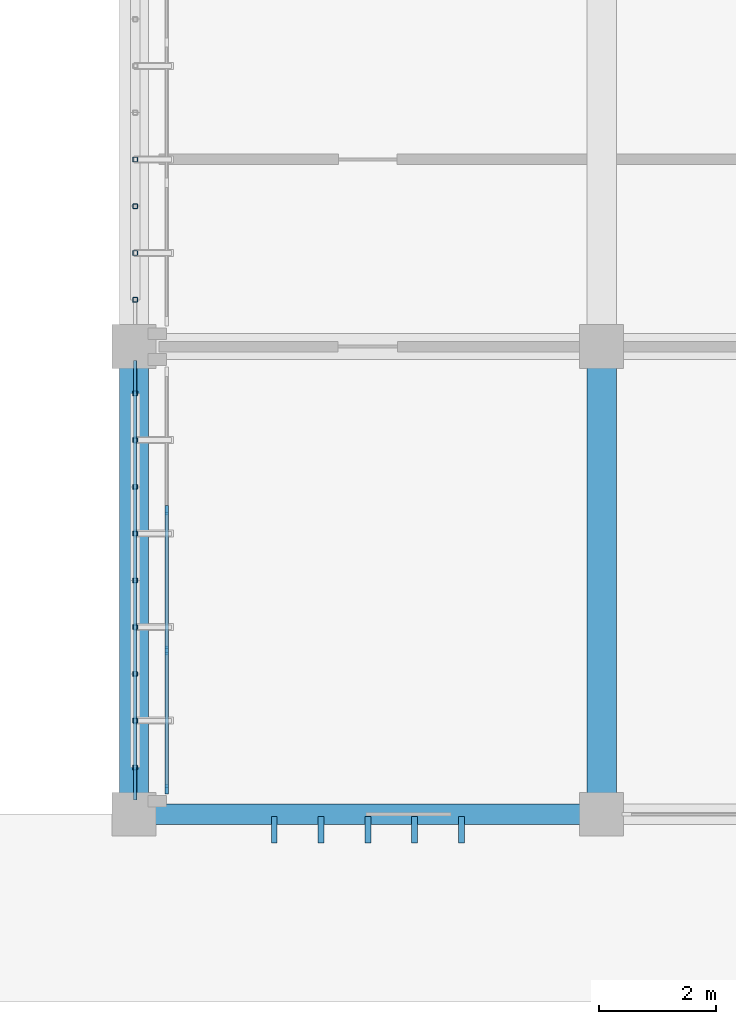
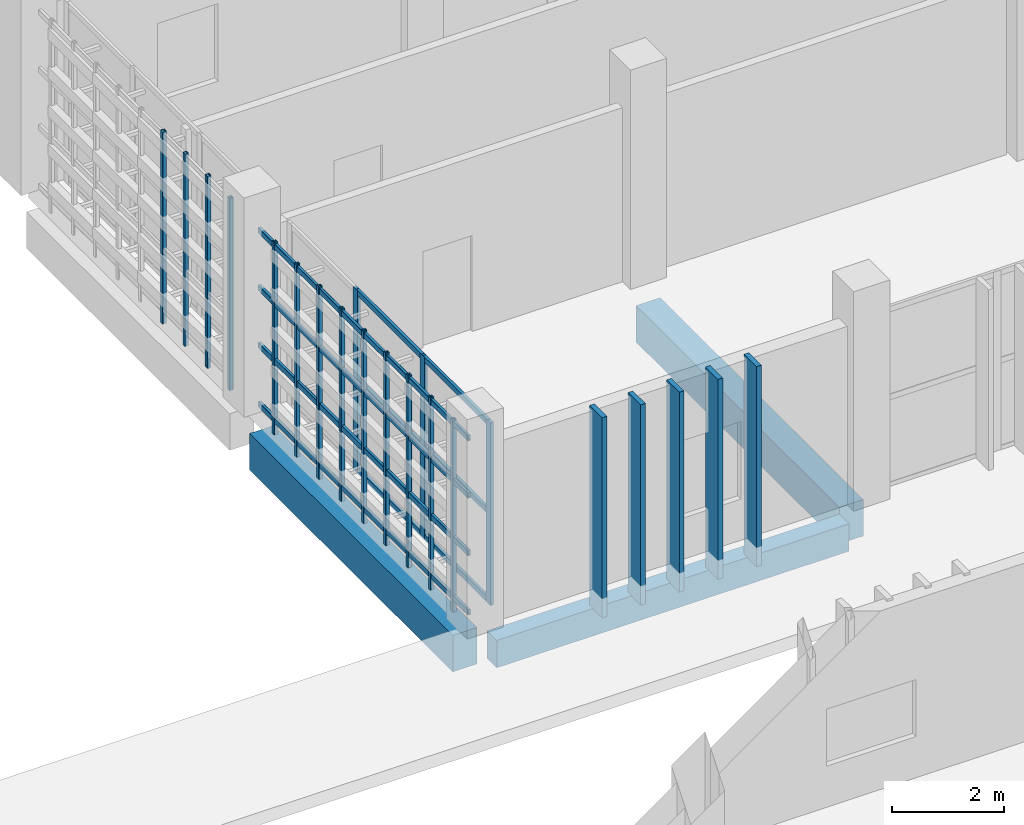
# One storey, part 46 of 117: 31 members, 3 beams, 1 element without a shape of its own.
"""IFC4 building model written with IfcOpenShell, lengths in metres."""

from ifc_helpers import new_model, si_unit, direction, frame, origin, origin_2d, place, context, subcontext, project, spatial, rectangle, hollow_rectangle, extrude, material, layer, layer_set, material_profile, profile_set, type_object, element, aggregate, save


model = new_model("IFC4")

# Units and contexts
model_context = context("Model", 3, precision=1e-05, world=origin(), true_north=direction((0.0, 1.0)))
body_context = subcontext(model_context, "Body", "Model", "MODEL_VIEW")
ifc_project = project(units=[si_unit("LENGTHUNIT", "METRE"), si_unit("AREAUNIT", "SQUARE_METRE"), si_unit("VOLUMEUNIT", "CUBIC_METRE"), si_unit("PLANEANGLEUNIT", "RADIAN"), si_unit("MASSUNIT", "GRAM", prefix="KILO")], contexts=[model_context])

# Site, building, storey
site_placement = place(None, origin())
site = spatial("IfcSite", under=ifc_project, at=site_placement, CompositionType="ELEMENT")
building_placement = place(site_placement, origin())
building = spatial("IfcBuilding", under=site, at=building_placement, Name="Jelvoka-Kovrelna Polytechnic", CompositionType="ELEMENT")
storey_placement = place(building_placement, origin())
storey = spatial("IfcBuildingStorey", under=building, at=storey_placement, Name="L01", CompositionType="ELEMENT", Elevation=0.0)

# Beams
ifc_material_1 = material(Name="Concrete C40/50", Category="concrete")
ifc_material_profile_1 = material_profile(ifc_material_1, rectangle(XDim=0.5, YDim=0.800048828125, at=origin_2d()), Name="RC 500x800")
ifc_profile_set_1 = profile_set([ifc_material_profile_1], Name="Concrete C40/50")
beam_type_1 = type_object("IfcBeamType", Name="Beam_RC_500x800", PredefinedType="BEAM", material=ifc_profile_set_1)
for number, where, z_axis, x_axis, name in (
    (1, (128.0, 32.35498046875, -0.804931640625), (0.0, 1.0, 0.0), (-1.0, 0.0, 0.0), "L01 beam 0423"),
    (2, (136.0, 32.35498046875, -0.804931640625), (0.0, 1.0, 0.0), (-1.0, 0.0, 0.0), "L01 beam 0425"),
):
    element("IfcBeam", number, at=place(storey_placement, frame(where, z_axis=z_axis, x_axis=x_axis)), inside=storey, type_object=beam_type_1, Name=name, PredefinedType="BEAM", context=body_context, shape_type="SweptSolid", body=[
        extrude(rectangle(XDim=0.5, YDim=0.800048828125, at=origin_2d()), origin(), (0.0, 0.0, 1.0), 7.2900390625),
    ])

# Members
ifc_material_2 = material(Name="Precast concrete C40/50", Category="concrete")
ifc_material_profile_2 = material_profile(ifc_material_2, rectangle(XDim=0.10009765625, YDim=0.449951171875, at=origin_2d()), Name="PC 100x450")
ifc_profile_set_2 = profile_set([ifc_material_profile_2], Name="Precast concrete C40/50")
member_type_1 = type_object("IfcMemberType", Name="Louvre_Fin_100x450", PredefinedType="USERDEFINED", material=ifc_profile_set_2)
for number, where, z_axis, x_axis, name in (
    (3, (130.39990234375, 31.735107421875, -0.419921875), (0.0, 0.0, 1.0), (1.0, 0.0, 0.0), "L01 B2E south vertical solar louvre fin 0866"),
    (4, (131.199951171875, 31.735107421875, -0.419921875), (0.0, 0.0, 1.0), (1.0, 0.0, 0.0), "L01 B2E south vertical solar louvre fin 0867"),
    (5, (132.0, 31.735107421875, -0.419921875), (0.0, 0.0, 1.0), (1.0, 0.0, 0.0), "L01 B2E south vertical solar louvre fin 0868"),
    (6, (132.800048828125, 31.735107421875, -0.419921875), (0.0, 0.0, 1.0), (1.0, 0.0, 0.0), "L01 B2E south vertical solar louvre fin 0869"),
    (7, (133.60009765625, 31.735107421875, -0.419921875), (0.0, 0.0, 1.0), (1.0, 0.0, 0.0), "L01 B2E south vertical solar louvre fin 0870"),
):
    element("IfcMember", number, at=place(storey_placement, frame(where, z_axis=z_axis, x_axis=x_axis)), inside=storey, type_object=member_type_1, Name=name, ObjectType="SUNSHADE", PredefinedType="USERDEFINED", context=body_context, shape_type="SweptSolid", body=[
        extrude(rectangle(XDim=0.10009765625, YDim=0.449951171875, at=origin_2d()), origin(), (0.0, 0.0, 1.0), 4.3798828125),
    ])
ifc_material_3 = material(Name="Structural steel S355J2H", Category="steel")
ifc_material_profile_3 = material_profile(ifc_material_3, hollow_rectangle(XDim=0.06005859375, YDim=0.1201171875, WallThickness=0.0048828125, InnerFilletRadius=0.0048828125, OuterFilletRadius=0.007568359375, at=origin_2d()), Name="120x60x5.0 RHS")
ifc_profile_set_3 = profile_set([ifc_material_profile_3], Name="Structural steel S355J2H")
member_type_2 = type_object("IfcMemberType", Name="Member_Strut_RHS120", PredefinedType="STRUT", material=ifc_profile_set_3)
for number, where, z_axis, x_axis, name in (
    (8, (128.02001953125, 32.239990234375, 0.080078125), (0.0, 1.0, 0.0), (-1.0, 0.0, 0.0), "L01 terracotta screen horizontal strut 0274"),
    (9, (128.02001953125, 32.239990234375, 1.37548828125), (0.0, 1.0, 0.0), (-1.0, 0.0, 0.0), "L01 terracotta screen horizontal strut 0275"),
    (10, (128.02001953125, 32.239990234375, 2.6328125), (0.0, 1.0, 0.0), (-1.0, 0.0, 0.0), "L01 terracotta screen horizontal strut 0276"),
    (11, (128.02001953125, 32.239990234375, 3.889892578125), (0.0, 1.0, 0.0), (-1.0, 0.0, 0.0), "L01 terracotta screen horizontal strut 0277"),
):
    element("IfcMember", number, at=place(storey_placement, frame(where, z_axis=z_axis, x_axis=x_axis)), inside=storey, type_object=member_type_2, Name=name, PredefinedType="STRUT", context=body_context, shape_type="SweptSolid", body=[
        extrude(hollow_rectangle(XDim=0.06005859375, YDim=0.1201171875, WallThickness=0.0048828125, InnerFilletRadius=0.0048828125, OuterFilletRadius=0.007568359375, at=origin_2d()), origin(), (0.0, 0.0, 1.0), 7.52001953125),
    ])
ifc_material_4 = material(Name="Structural steel S355J2H", Category="steel")
ifc_material_profile_4 = material_profile(ifc_material_4, hollow_rectangle(XDim=0.080078125, YDim=0.080078125, WallThickness=0.0048828125, InnerFilletRadius=0.0048828125, OuterFilletRadius=0.007568359375, at=origin_2d()), Name="80x80x5.0 SHS")
ifc_profile_set_4 = profile_set([ifc_material_profile_4], Name="Structural steel S355J2H")
member_type_3 = type_object("IfcMemberType", Name="Member_Strut_SHS80", PredefinedType="STRUT", material=ifc_profile_set_4)
for number, where, z_axis, x_axis, name in (
    (12, (128.02001953125, 32.800048828125, -0.22998046875), (0.0, 0.0, 1.0), (1.0, 0.0, 0.0), "L01 terracotta lattice vertical rib 0278"),
    (13, (128.02001953125, 33.60009765625, -0.22998046875), (0.0, 0.0, 1.0), (1.0, 0.0, 0.0), "L01 terracotta lattice vertical rib 0279"),
    (14, (128.02001953125, 34.39990234375, -0.22998046875), (0.0, 0.0, 1.0), (1.0, 0.0, 0.0), "L01 terracotta lattice vertical rib 0280"),
    (15, (128.02001953125, 35.199951171875, -0.22998046875), (0.0, 0.0, 1.0), (1.0, 0.0, 0.0), "L01 terracotta lattice vertical rib 0281"),
    (16, (128.02001953125, 36.0, -0.22998046875), (0.0, 0.0, 1.0), (1.0, 0.0, 0.0), "L01 terracotta lattice vertical rib 0282"),
    (17, (128.02001953125, 36.800048828125, -0.22998046875), (0.0, 0.0, 1.0), (1.0, 0.0, 0.0), "L01 terracotta lattice vertical rib 0283"),
    (18, (128.02001953125, 37.60009765625, -0.22998046875), (0.0, 0.0, 1.0), (1.0, 0.0, 0.0), "L01 terracotta lattice vertical rib 0284"),
    (19, (128.02001953125, 38.39990234375, -0.22998046875), (0.0, 0.0, 1.0), (1.0, 0.0, 0.0), "L01 terracotta lattice vertical rib 0285"),
    (20, (128.02001953125, 39.199951171875, -0.22998046875), (0.0, 0.0, 1.0), (1.0, 0.0, 0.0), "L01 terracotta lattice vertical rib 0286"),
    (21, (128.02001953125, 40.800048828125, -0.22998046875), (0.0, 0.0, 1.0), (1.0, 0.0, 0.0), "L01 terracotta lattice vertical rib 0291"),
    (22, (128.02001953125, 41.60009765625, -0.22998046875), (0.0, 0.0, 1.0), (1.0, 0.0, 0.0), "L01 terracotta lattice vertical rib 0292"),
    (23, (128.02001953125, 42.39990234375, -0.22998046875), (0.0, 0.0, 1.0), (1.0, 0.0, 0.0), "L01 terracotta lattice vertical rib 0293"),
    (24, (128.02001953125, 43.199951171875, -0.22998046875), (0.0, 0.0, 1.0), (1.0, 0.0, 0.0), "L01 terracotta lattice vertical rib 0294"),
):
    element("IfcMember", number, at=place(storey_placement, frame(where, z_axis=z_axis, x_axis=x_axis)), inside=storey, type_object=member_type_3, Name=name, PredefinedType="STRUT", context=body_context, shape_type="SweptSolid", body=[
        extrude(hollow_rectangle(XDim=0.080078125, YDim=0.080078125, WallThickness=0.0048828125, InnerFilletRadius=0.0048828125, OuterFilletRadius=0.007568359375, at=origin_2d()), origin(), (0.0, 0.0, 1.0), 4.2099609375),
    ])

# Curtain wall, members
ifc_material_5 = material(Name="Anodised aluminium 6063-T6", Category="aluminium")
ifc_layer = layer(ifc_material_5, 0.159912109375)
ifc_layer_set = layer_set([ifc_layer], Name="Anodised aluminium 6063-T6")
curtain_wall_type = type_object("IfcCurtainWallType", Name="CW_Recessed_A", PredefinedType="NOTDEFINED", material=ifc_layer_set)
curtain_wall_placement = place(storey_placement, origin())
curtain_wall = element("IfcCurtainWall", 25, at=curtain_wall_placement, inside=storey, type_object=curtain_wall_type, Name="L01 glazed curtain wall 042", PredefinedType="NOTDEFINED")
ifc_material_6 = material(Name="Anodised aluminium 6063-T6", Category="aluminium")
ifc_material_profile_5 = material_profile(ifc_material_6, rectangle(XDim=0.06005859375, YDim=0.159912109375, at=origin_2d()), Name="ALU 60x160")
ifc_profile_set_5 = profile_set([ifc_material_profile_5], Name="Anodised aluminium 6063-T6")
member_type_4 = type_object("IfcMemberType", Name="Mullion_M-01", PredefinedType="MULLION", material=ifc_profile_set_5)
member_1_placement = place(storey_placement, frame((128.56005859375, 32.429931640625, -0.02490234375), z_axis=(0.0, 0.0, 1.0), x_axis=(-1.0, 0.0, 0.0)))
member_1 = element("IfcMember", 26, at=member_1_placement, type_object=member_type_4, Name="CW-01 mullion 1", PredefinedType="MULLION", context=body_context, shape_type="SweptSolid", body=[
    extrude(rectangle(XDim=0.06005859375, YDim=0.159912109375, at=origin_2d()), origin(), (0.0, 0.0, 1.0), 4.0),
])
member_2_placement = place(storey_placement, frame((128.56005859375, 34.800048828125, -0.02490234375), z_axis=(0.0, 0.0, 1.0), x_axis=(-1.0, 0.0, 0.0)))
member_2 = element("IfcMember", 27, at=member_2_placement, type_object=member_type_4, Name="CW-01 mullion 2", PredefinedType="MULLION", context=body_context, shape_type="SweptSolid", body=[
    extrude(rectangle(XDim=0.06005859375, YDim=0.159912109375, at=origin_2d()), origin(), (0.0, 0.0, 1.0), 4.0),
])
member_3_placement = place(storey_placement, frame((128.56005859375, 37.199951171875, -0.02490234375), z_axis=(0.0, 0.0, 1.0), x_axis=(-1.0, 0.0, 0.0)))
member_3 = element("IfcMember", 28, at=member_3_placement, type_object=member_type_4, Name="CW-01 mullion 3", PredefinedType="MULLION", context=body_context, shape_type="SweptSolid", body=[
    extrude(rectangle(XDim=0.06005859375, YDim=0.159912109375, at=origin_2d()), origin(), (0.0, 0.0, 1.0), 4.0),
])

# Beam
ifc_material_7 = material(Name="Concrete C40/50", Category="concrete")
ifc_material_profile_6 = material_profile(ifc_material_7, rectangle(XDim=0.35009765625, YDim=0.60009765625, at=origin_2d()), Name="RC 350x600")
ifc_profile_set_6 = profile_set([ifc_material_profile_6], Name="Concrete C40/50")
beam_type_2 = type_object("IfcBeamType", Name="Spandrel_RC_350x600", PredefinedType="SPANDREL", material=ifc_profile_set_6)
beam_placement = place(storey_placement, frame((128.35498046875, 32.0, -0.705078125), z_axis=(1.0, 0.0, 0.0), x_axis=(0.0, 1.0, 0.0)))
element("IfcBeam", 29, at=beam_placement, inside=storey, type_object=beam_type_2, Name="L01 beam 0402", PredefinedType="SPANDREL", context=body_context, shape_type="SweptSolid", body=[
    extrude(rectangle(XDim=0.35009765625, YDim=0.60009765625, at=origin_2d()), origin(), (0.0, 0.0, 1.0), 7.2900390625),
])

# Member
ifc_material_8 = material(Name="Anodised aluminium 6063-T6", Category="aluminium")
ifc_material_profile_7 = material_profile(ifc_material_8, rectangle(XDim=0.06005859375, YDim=0.1201171875, at=origin_2d()), Name="ALU 60x120")
ifc_profile_set_7 = profile_set([ifc_material_profile_7], Name="Anodised aluminium 6063-T6")
member_type_5 = type_object("IfcMemberType", Name="Transom_T-01", PredefinedType="USERDEFINED", material=ifc_profile_set_7)
member_4_placement = place(storey_placement, frame((128.56005859375, 32.4599609375, 0.030029296875), z_axis=(0.0, 1.0, 0.0), x_axis=(-1.0, 0.0, 0.0)))
member_4 = element("IfcMember", 30, at=member_4_placement, type_object=member_type_5, Name="CW-01 transom 1.1", ObjectType="TRANSOM", PredefinedType="USERDEFINED", context=body_context, shape_type="SweptSolid", body=[
    extrude(rectangle(XDim=0.06005859375, YDim=0.1201171875, at=origin_2d()), origin(), (0.0, 0.0, 1.0), 2.31005859375),
])

member_5_placement = place(storey_placement, frame((128.56005859375, 32.4599609375, 1.97509765625), z_axis=(0.0, 1.0, 0.0), x_axis=(-1.0, 0.0, 0.0)))
member_5 = element("IfcMember", 31, at=member_5_placement, type_object=member_type_5, Name="CW-01 transom 1.2", ObjectType="TRANSOM", PredefinedType="USERDEFINED", context=body_context, shape_type="SweptSolid", body=[
    extrude(rectangle(XDim=0.06005859375, YDim=0.1201171875, at=origin_2d()), origin(), (0.0, 0.0, 1.0), 2.31005859375),
])

member_6_placement = place(storey_placement, frame((128.56005859375, 32.4599609375, 3.919921875), z_axis=(0.0, 1.0, 0.0), x_axis=(-1.0, 0.0, 0.0)))
member_6 = element("IfcMember", 32, at=member_6_placement, type_object=member_type_5, Name="CW-01 transom 1.3", ObjectType="TRANSOM", PredefinedType="USERDEFINED", context=body_context, shape_type="SweptSolid", body=[
    extrude(rectangle(XDim=0.06005859375, YDim=0.1201171875, at=origin_2d()), origin(), (0.0, 0.0, 1.0), 2.31005859375),
])

member_7_placement = place(storey_placement, frame((128.56005859375, 34.830078125, 0.030029296875), z_axis=(0.0, 1.0, 0.0), x_axis=(-1.0, 0.0, 0.0)))
member_7 = element("IfcMember", 33, at=member_7_placement, type_object=member_type_5, Name="CW-01 transom 2.1", ObjectType="TRANSOM", PredefinedType="USERDEFINED", context=body_context, shape_type="SweptSolid", body=[
    extrude(rectangle(XDim=0.06005859375, YDim=0.1201171875, at=origin_2d()), origin(), (0.0, 0.0, 1.0), 2.33984375),
])

member_8_placement = place(storey_placement, frame((128.56005859375, 34.830078125, 1.97509765625), z_axis=(0.0, 1.0, 0.0), x_axis=(-1.0, 0.0, 0.0)))
member_8 = element("IfcMember", 34, at=member_8_placement, type_object=member_type_5, Name="CW-01 transom 2.2", ObjectType="TRANSOM", PredefinedType="USERDEFINED", context=body_context, shape_type="SweptSolid", body=[
    extrude(rectangle(XDim=0.06005859375, YDim=0.1201171875, at=origin_2d()), origin(), (0.0, 0.0, 1.0), 2.33984375),
])

member_9_placement = place(storey_placement, frame((128.56005859375, 34.830078125, 3.919921875), z_axis=(0.0, 1.0, 0.0), x_axis=(-1.0, 0.0, 0.0)))
member_9 = element("IfcMember", 35, at=member_9_placement, type_object=member_type_5, Name="CW-01 transom 2.3", ObjectType="TRANSOM", PredefinedType="USERDEFINED", context=body_context, shape_type="SweptSolid", body=[
    extrude(rectangle(XDim=0.06005859375, YDim=0.1201171875, at=origin_2d()), origin(), (0.0, 0.0, 1.0), 2.33984375),
])

aggregate(curtain_wall, [member_1, member_2, member_3, member_4, member_5, member_6, member_7, member_8, member_9])

save(model, "model.ifc")
